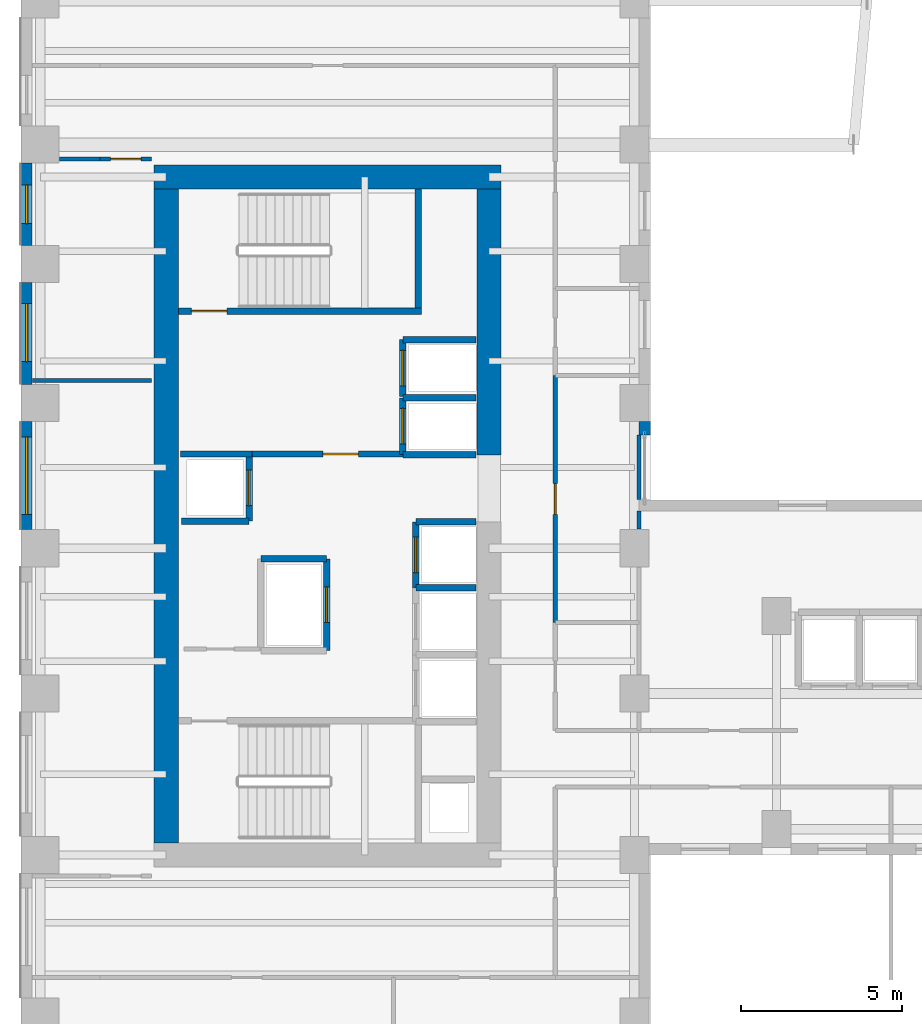
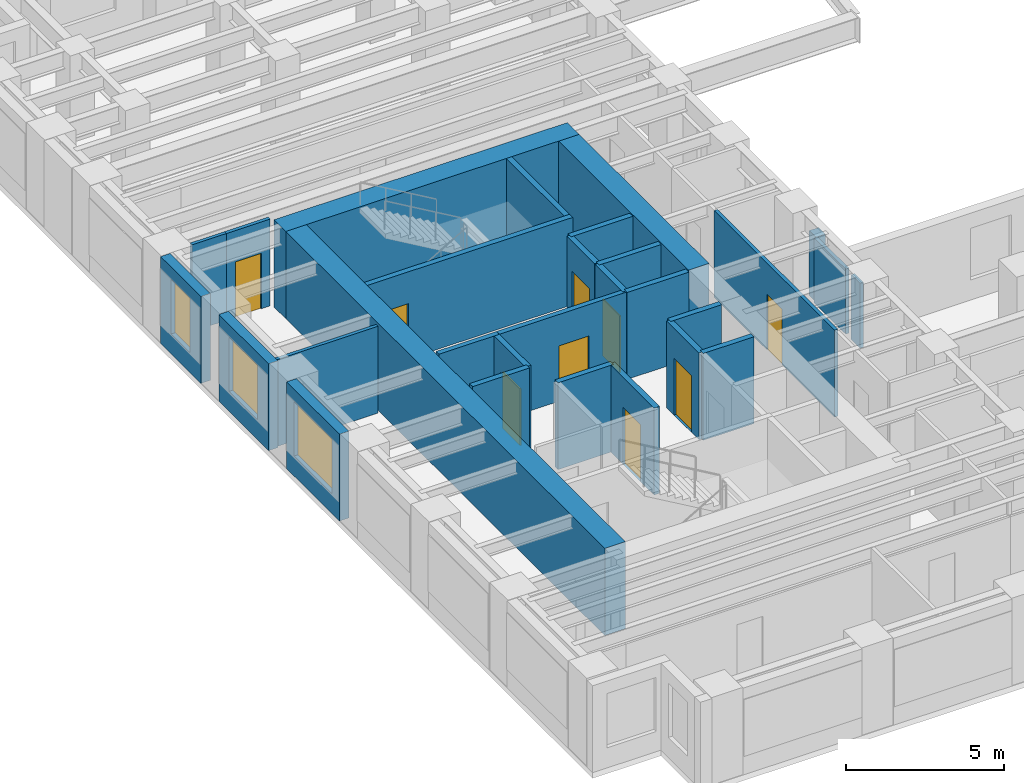
# One storey, part 8 of 14: 29 walls, 9 doors, 3 windows, 12 openings.
"""IFC4 building model written with IfcOpenShell, lengths in metres."""

from ifc_helpers import new_model, si_unit, direction, frame, frame_2d, origin, place, context, subcontext, project, spatial, rectangle, extrude, source, transform, mapped, material, layer, layer_set, type_object, element, fill, save


model = new_model("IFC4")

# Units and contexts
model_context = context("Model", 3, precision=1e-05, world=origin(), true_north=direction((0.0, 1.0)))
body_context = subcontext(model_context, "Body", "Model", "MODEL_VIEW")
ifc_project = project(units=[si_unit("LENGTHUNIT", "METRE"), si_unit("AREAUNIT", "SQUARE_METRE"), si_unit("VOLUMEUNIT", "CUBIC_METRE"), si_unit("PLANEANGLEUNIT", "RADIAN"), si_unit("MASSUNIT", "GRAM", prefix="KILO")], contexts=[model_context])

# Site, building, storey
site_placement = place(None, origin())
site = spatial("IfcSite", under=ifc_project, at=site_placement, CompositionType="ELEMENT")
building_placement = place(site_placement, origin())
building = spatial("IfcBuilding", under=site, at=building_placement, Name="Kharzan Plaza Tower", CompositionType="ELEMENT")
storey_placement = place(building_placement, frame((0.0, 0.0, 124.199951171875)))
storey = spatial("IfcBuildingStorey", under=building, at=storey_placement, Name="L33", CompositionType="ELEMENT", Elevation=124.199951171875)

# Wall, opening, window
ifc_material_1 = material(Name="Concrete C40/50", Category="concrete")
ifc_layer_1 = layer(ifc_material_1, 0.35009765625)
ifc_layer_set_1 = layer_set([ifc_layer_1], Name="Concrete C40/50")
wall_type_1 = type_object("IfcWallType", Name="WL-EXT-MAS-Z2", PredefinedType="SOLIDWALL", material=ifc_layer_set_1)
wall_1_placement = place(storey_placement, frame((0.175048828125, 29.927001953125, 0.0), z_axis=(0.0, 0.0, 1.0), x_axis=(0.0, -1.0, 0.0)))
wall_1 = element("IfcWall", 1, at=wall_1_placement, inside=storey, type_object=wall_type_1, Name="L33 Masonry-Frame Exterior Wall 20", PredefinedType="SOLIDWALL", context=body_context, shape_type="SweptSolid", body=[
    extrude(rectangle(XDim=2.553955078125, YDim=0.35009765625, at=frame_2d((1.27685546875, 0.0))), origin(), (0.0, 0.0, 1.0), 3.364990234375),
])
opening_1_placement = place(wall_1_placement, frame((0.677001953125, 0.0, 0.780029296875)))
opening_1 = element("IfcOpeningElement", 2, at=opening_1_placement, cuts=wall_1, Name="Opening W3", PredefinedType="OPENING", context=body_context, shape_type="SweptSolid", body=[
    extrude(rectangle(XDim=1.199951171875, YDim=2.10009765625, at=frame_2d((0.60009765625, 1.050048828125))), frame((0.0, 0.18505859375, 0.0), z_axis=(0.0, -1.0, 0.0), x_axis=(1.0, 0.0, 0.0)), (0.0, 0.0, 1.0), 0.3701171875),
])
ifc_material_2 = material(Name="Low-E Double Glazing", Category="glass")
window_type_1 = type_object("IfcWindowType", Name="WN-REC-1200x2100", PartitioningType="SINGLE_PANEL", PredefinedType="WINDOW", material=ifc_material_2)
shared_shape_1 = source(origin(), body_context, "Body", "SweptSolid", [
    extrude(rectangle(XDim=1.199951171875, YDim=2.10009765625, at=frame_2d((0.60009765625, 1.050048828125))), frame((0.0, 0.030029296875, 0.0), z_axis=(0.0, -1.0, 0.0), x_axis=(1.0, 0.0, 0.0)), (0.0, 0.0, 1.0), 0.06005859375),
])
window_1_placement = place(opening_1_placement, origin())
window_1 = element("IfcWindow", 3, at=window_1_placement, inside=storey, type_object=window_type_1, Name="L33 Recessed Solar-Control Window 20-1", OverallHeight=2.10009765625, OverallWidth=1.199951171875, PartitioningType="SINGLE_PANEL", PredefinedType="WINDOW", context=body_context, shape_type="MappedRepresentation", body=[
    mapped(shared_shape_1, transform((0.0, 0.0, 0.0), x_axis=(1.0, 0.0, 0.0), y_axis=(0.0, 1.0, 0.0), z_axis=(0.0, 0.0, 1.0))),
])
fill(opening_1, window_1)

wall_2_placement = place(storey_placement, frame((0.175048828125, 26.22705078125, 0.0), z_axis=(0.0, 0.0, 1.0), x_axis=(0.0, -1.0, 0.0)))
wall_2 = element("IfcWall", 4, at=wall_2_placement, inside=storey, type_object=wall_type_1, Name="L33 Masonry-Frame Exterior Wall 21", PredefinedType="SOLIDWALL", context=body_context, shape_type="SweptSolid", body=[
    extrude(rectangle(XDim=3.154052734375, YDim=0.35009765625, at=frame_2d((1.5771484375, 0.0))), origin(), (0.0, 0.0, 1.0), 3.364990234375),
])
opening_2_placement = place(wall_2_placement, frame((0.6484375, 0.0, 0.780029296875)))
opening_2 = element("IfcOpeningElement", 5, at=opening_2_placement, cuts=wall_2, Name="Opening W1", PredefinedType="OPENING", context=body_context, shape_type="SweptSolid", body=[
    extrude(rectangle(XDim=1.800048828125, YDim=2.10009765625, at=frame_2d((0.89990234375, 1.050048828125))), frame((0.0, 0.18505859375, 0.0), z_axis=(0.0, -1.0, 0.0), x_axis=(1.0, 0.0, 0.0)), (0.0, 0.0, 1.0), 0.3701171875),
])
window_type_2 = type_object("IfcWindowType", Name="WN-REC-1800x2100", PartitioningType="SINGLE_PANEL", PredefinedType="WINDOW", material=ifc_material_2)
shared_shape_2 = source(origin(), body_context, "Body", "SweptSolid", [
    extrude(rectangle(XDim=1.800048828125, YDim=2.10009765625, at=frame_2d((0.89990234375, 1.050048828125))), frame((0.0, 0.030029296875, 0.0), z_axis=(0.0, -1.0, 0.0), x_axis=(1.0, 0.0, 0.0)), (0.0, 0.0, 1.0), 0.06005859375),
])
window_2_placement = place(opening_2_placement, origin())
window_2 = element("IfcWindow", 6, at=window_2_placement, inside=storey, type_object=window_type_2, Name="L33 Recessed Solar-Control Window 21-1", OverallHeight=2.10009765625, OverallWidth=1.800048828125, PartitioningType="SINGLE_PANEL", PredefinedType="WINDOW", context=body_context, shape_type="MappedRepresentation", body=[
    mapped(shared_shape_2, transform((0.0, 0.0, 0.0), x_axis=(1.0, 0.0, 0.0), y_axis=(0.0, 1.0, 0.0), z_axis=(0.0, 0.0, 1.0))),
])
fill(opening_2, window_2)

wall_3_placement = place(storey_placement, frame((0.175048828125, 21.927001953125, 0.0), z_axis=(0.0, 0.0, 1.0), x_axis=(0.0, -1.0, 0.0)))
wall_3 = element("IfcWall", 7, at=wall_3_placement, inside=storey, type_object=wall_type_1, Name="L33 Masonry-Frame Exterior Wall 22", PredefinedType="SOLIDWALL", context=body_context, shape_type="SweptSolid", body=[
    extrude(rectangle(XDim=3.35400390625, YDim=0.35009765625, at=frame_2d((1.677001953125, 0.0))), origin(), (0.0, 0.0, 1.0), 3.364990234375),
])
opening_3_placement = place(wall_3_placement, frame((0.47705078125, 0.0, 0.780029296875)))
opening_3 = element("IfcOpeningElement", 8, at=opening_3_placement, cuts=wall_3, Name="Opening W2", PredefinedType="OPENING", context=body_context, shape_type="SweptSolid", body=[
    extrude(rectangle(XDim=2.39990234375, YDim=2.10009765625, at=frame_2d((1.199951171875, 1.050048828125))), frame((0.0, 0.18505859375, 0.0), z_axis=(0.0, -1.0, 0.0), x_axis=(1.0, 0.0, 0.0)), (0.0, 0.0, 1.0), 0.3701171875),
])
window_type_3 = type_object("IfcWindowType", Name="WN-REC-2400x2100", PartitioningType="SINGLE_PANEL", PredefinedType="WINDOW", material=ifc_material_2)
shared_shape_3 = source(origin(), body_context, "Body", "SweptSolid", [
    extrude(rectangle(XDim=2.39990234375, YDim=2.10009765625, at=frame_2d((1.199951171875, 1.050048828125))), frame((0.0, 0.030029296875, 0.0), z_axis=(0.0, -1.0, 0.0), x_axis=(1.0, 0.0, 0.0)), (0.0, 0.0, 1.0), 0.06005859375),
])
window_3_placement = place(opening_3_placement, origin())
window_3 = element("IfcWindow", 9, at=window_3_placement, inside=storey, type_object=window_type_3, Name="L33 Wide Recessed Solar-Control Window 22-1", OverallHeight=2.10009765625, OverallWidth=2.39990234375, PartitioningType="SINGLE_PANEL", PredefinedType="WINDOW", context=body_context, shape_type="MappedRepresentation", body=[
    mapped(shared_shape_3, transform((0.0, 0.0, 0.0), x_axis=(1.0, 0.0, 0.0), y_axis=(0.0, 1.0, 0.0), z_axis=(0.0, 0.0, 1.0))),
])
fill(opening_3, window_3)

# Wall, opening, door
ifc_layer_2 = layer(ifc_material_1, 0.179931640625)
ifc_layer_set_2 = layer_set([ifc_layer_2], Name="Concrete C40/50")
wall_type_2 = type_object("IfcWallType", Name="WL-INT-FIRE-180", PredefinedType="PARTITIONING", material=ifc_layer_set_2)
wall_4_placement = place(storey_placement, frame((7.14990234375, 20.919921875, 0.0), z_axis=(0.0, 0.0, 1.0), x_axis=(1.0, 0.0, 0.0)))
wall_4 = element("IfcWall", 10, at=wall_4_placement, inside=storey, type_object=wall_type_2, Name="L33 Interior Partition CA-FF-S", PredefinedType="PARTITIONING", context=body_context, shape_type="SweptSolid", body=[
    extrude(rectangle(XDim=4.68017578125, YDim=0.179931640625, at=frame_2d((2.340087890625, 0.0))), origin(), (0.0, 0.0, 1.0), 3.364990234375),
])
opening_4_placement = place(wall_4_placement, frame((2.199951171875, 0.0, 0.0)))
opening_4 = element("IfcOpeningElement", 11, at=opening_4_placement, cuts=wall_4, Name="Opening FD1", PredefinedType="OPENING", context=body_context, shape_type="SweptSolid", body=[
    extrude(rectangle(XDim=1.10009765625, YDim=2.14990234375, at=frame_2d((0.550048828125, 1.074951171875))), frame((0.0, 0.099853515625, 0.0), z_axis=(0.0, -1.0, 0.0), x_axis=(1.0, 0.0, 0.0)), (0.0, 0.0, 1.0), 0.199951171875),
])
ifc_material_3 = material(Name="Fire-Rated Acoustic Vision-Panel Steel", Category="steel")
door_type_1 = type_object("IfcDoorType", Name="DR-FIRE-LOBBY", OperationType="NOTDEFINED", PredefinedType="DOOR", material=ifc_material_3)
shared_shape_4 = source(origin(), body_context, "Body", "SweptSolid", [
    extrude(rectangle(XDim=1.10009765625, YDim=2.14990234375, at=frame_2d((0.550048828125, 1.074951171875))), frame((0.0, 0.02490234375, 0.0), z_axis=(0.0, -1.0, 0.0), x_axis=(1.0, 0.0, 0.0)), (0.0, 0.0, 1.0), 0.050048828125),
])
door_1_placement = place(opening_4_placement, origin())
door_1 = element("IfcDoor", 12, at=door_1_placement, inside=storey, type_object=door_type_1, Name="L33 Firefighting Lobby Door", OperationType="SINGLE_SWING_RIGHT", OverallHeight=2.14990234375, OverallWidth=1.10009765625, PredefinedType="DOOR", context=body_context, shape_type="MappedRepresentation", body=[
    mapped(shared_shape_4, transform((0.0, 0.0, 0.0), x_axis=(1.0, 0.0, 0.0), y_axis=(0.0, 1.0, 0.0), z_axis=(0.0, 0.0, 1.0))),
])
fill(opening_4, door_1)

ifc_material_4 = material(Name="Fire-Rated Gypsum Board Partition", Category="gypsum")
ifc_layer_3 = layer(ifc_material_4, 0.125)
ifc_layer_set_3 = layer_set([ifc_layer_3], Name="Fire-Rated Gypsum Board Partition")
wall_type_3 = type_object("IfcWallType", Name="WL-INT-PART-125", PredefinedType="PARTITIONING", material=ifc_layer_set_3)
wall_5_placement = place(storey_placement, frame((16.550048828125, 15.699951171875, 0.0), z_axis=(0.0, 0.0, 1.0), x_axis=(0.0, 1.0, 0.0)))
wall_5 = element("IfcWall", 13, at=wall_5_placement, inside=storey, type_object=wall_type_3, Name="L33 Interior Partition SH-AEWN2", PredefinedType="PARTITIONING", context=body_context, shape_type="SweptSolid", body=[
    extrude(rectangle(XDim=7.650146484375, YDim=0.125, at=frame_2d((3.8251953125, 0.0))), origin(), (0.0, 0.0, 1.0), 3.364990234375),
])
opening_5_placement = place(wall_5_placement, frame((3.35009765625, 0.0, 0.0)))
opening_5 = element("IfcOpeningElement", 14, at=opening_5_placement, cuts=wall_5, Name="Opening OD1", PredefinedType="OPENING", context=body_context, shape_type="SweptSolid", body=[
    extrude(rectangle(XDim=0.949951171875, YDim=2.14990234375, at=frame_2d((0.47509765625, 1.074951171875))), frame((0.0, 0.072509765625, 0.0), z_axis=(0.0, -1.0, 0.0), x_axis=(1.0, 0.0, 0.0)), (0.0, 0.0, 1.0), 0.14501953125),
])
ifc_material_5 = material(Name="Acoustic Solid-Core Stained Oak", Category="timber")
door_type_2 = type_object("IfcDoorType", Name="DR-OFF-SINGLE", OperationType="NOTDEFINED", PredefinedType="DOOR", material=ifc_material_5)
shared_shape_5 = source(origin(), body_context, "Body", "SweptSolid", [
    extrude(rectangle(XDim=0.949951171875, YDim=2.14990234375, at=frame_2d((0.47509765625, 1.074951171875))), frame((0.0, 0.02490234375, 0.0), z_axis=(0.0, -1.0, 0.0), x_axis=(1.0, 0.0, 0.0)), (0.0, 0.0, 1.0), 0.050048828125),
])
door_2_placement = place(opening_5_placement, origin())
door_2 = element("IfcDoor", 15, at=door_2_placement, inside=storey, type_object=door_type_2, Name="L33 Slot Studio Door", OperationType="SINGLE_SWING_LEFT", OverallHeight=2.14990234375, OverallWidth=0.949951171875, PredefinedType="DOOR", context=body_context, shape_type="MappedRepresentation", body=[
    mapped(shared_shape_5, transform((0.0, 0.0, 0.0), x_axis=(1.0, 0.0, 0.0), y_axis=(0.0, 1.0, 0.0), z_axis=(0.0, 0.0, 1.0))),
])
fill(opening_5, door_2)

wall_6_placement = place(storey_placement, frame((2.449951171875, 30.050048828125, 0.0), z_axis=(0.0, 0.0, 1.0), x_axis=(1.0, 0.0, 0.0)))
wall_6 = element("IfcWall", 16, at=wall_6_placement, inside=storey, type_object=wall_type_3, Name="L33 Interior Partition SH-RWND", PredefinedType="PARTITIONING", context=body_context, shape_type="SweptSolid", body=[
    extrude(rectangle(XDim=1.60009765625, YDim=0.125, at=frame_2d((0.800048828125, 0.0))), origin(), (0.0, 0.0, 1.0), 3.364990234375),
])
opening_6_placement = place(wall_6_placement, frame((0.324951171875, 0.0, 0.0)))
opening_6 = element("IfcOpeningElement", 17, at=opening_6_placement, cuts=wall_6, Name="Opening OD1", PredefinedType="OPENING", context=body_context, shape_type="SweptSolid", body=[
    extrude(rectangle(XDim=0.949951171875, YDim=2.14990234375, at=frame_2d((0.47509765625, 1.074951171875))), frame((0.0, 0.072509765625, 0.0), z_axis=(0.0, -1.0, 0.0), x_axis=(1.0, 0.0, 0.0)), (0.0, 0.0, 1.0), 0.14501953125),
])
door_3_placement = place(opening_6_placement, origin())
door_3 = element("IfcDoor", 18, at=door_3_placement, inside=storey, type_object=door_type_2, Name="L33 West Office 2 Door", OperationType="SINGLE_SWING_LEFT", OverallHeight=2.14990234375, OverallWidth=0.949951171875, PredefinedType="DOOR", context=body_context, shape_type="MappedRepresentation", body=[
    mapped(shared_shape_5, transform((0.0, 0.0, 0.0), x_axis=(1.0, 0.0, 0.0), y_axis=(0.0, 1.0, 0.0), z_axis=(0.0, 0.0, 1.0))),
])
fill(opening_6, door_3)

ifc_layer_4 = layer(ifc_material_1, 0.199951171875)
ifc_layer_set_4 = layer_set([ifc_layer_4], Name="Concrete C40/50")
wall_type_4 = type_object("IfcWallType", Name="WL-INT-SHAFT-200", PredefinedType="PARTITIONING", material=ifc_layer_set_4)
wall_7_placement = place(storey_placement, frame((11.830078125, 20.89990234375, 0.0), z_axis=(0.0, 0.0, 1.0), x_axis=(0.0, 1.0, 0.0)))
wall_7 = element("IfcWall", 19, at=wall_7_placement, inside=storey, type_object=wall_type_4, Name="L33 Interior Partition SHF-FFL-1-W", PredefinedType="PARTITIONING", context=body_context, shape_type="SweptSolid", body=[
    extrude(rectangle(XDim=1.760009765625, YDim=0.199951171875, at=frame_2d((0.8798828125, 0.0))), origin(), (0.0, 0.0, 1.0), 3.364990234375),
])
opening_7_placement = place(wall_7_placement, frame((0.330078125, 0.0, 0.0)))
opening_7 = element("IfcOpeningElement", 20, at=opening_7_placement, cuts=wall_7, Name="Opening LD", PredefinedType="OPENING", context=body_context, shape_type="SweptSolid", body=[
    extrude(rectangle(XDim=1.10009765625, YDim=2.199951171875, at=frame_2d((0.550048828125, 1.10009765625))), frame((0.0, 0.10986328125, 0.0), z_axis=(0.0, -1.0, 0.0), x_axis=(1.0, 0.0, 0.0)), (0.0, 0.0, 1.0), 0.219970703125),
])
ifc_material_6 = material(Name="Brushed Stainless Steel", Category="steel")
door_type_3 = type_object("IfcDoorType", Name="DR-LIFT-SLIDE", OperationType="SLIDING_TO_LEFT", PredefinedType="DOOR", material=ifc_material_6)
shared_shape_6 = source(origin(), body_context, "Body", "SweptSolid", [
    extrude(rectangle(XDim=1.10009765625, YDim=2.199951171875, at=frame_2d((0.550048828125, 1.10009765625))), frame((0.0, 0.02490234375, 0.0), z_axis=(0.0, -1.0, 0.0), x_axis=(1.0, 0.0, 0.0)), (0.0, 0.0, 1.0), 0.050048828125),
])
door_4_placement = place(opening_7_placement, origin())
door_4 = element("IfcDoor", 21, at=door_4_placement, inside=storey, type_object=door_type_3, Name="L33 Firefighting Lift FFL-1 Sliding Landing Door", OperationType="SLIDING_TO_LEFT", OverallHeight=2.199951171875, OverallWidth=1.10009765625, PredefinedType="DOOR", context=body_context, shape_type="MappedRepresentation", body=[
    mapped(shared_shape_6, transform((0.0, 0.0, 0.0), x_axis=(1.0, 0.0, 0.0), y_axis=(0.0, 1.0, 0.0), z_axis=(0.0, 0.0, 1.0))),
])
fill(opening_7, door_4)

wall_8_placement = place(storey_placement, frame((11.830078125, 22.699951171875, 0.0), z_axis=(0.0, 0.0, 1.0), x_axis=(0.0, 1.0, 0.0)))
wall_8 = element("IfcWall", 22, at=wall_8_placement, inside=storey, type_object=wall_type_4, Name="L33 Interior Partition SHF-FFL-2-W", PredefinedType="PARTITIONING", context=body_context, shape_type="SweptSolid", body=[
    extrude(rectangle(XDim=1.760009765625, YDim=0.199951171875, at=frame_2d((0.8798828125, 0.0))), origin(), (0.0, 0.0, 1.0), 3.364990234375),
])
opening_8_placement = place(wall_8_placement, frame((0.330078125, 0.0, 0.0)))
opening_8 = element("IfcOpeningElement", 23, at=opening_8_placement, cuts=wall_8, Name="Opening LD", PredefinedType="OPENING", context=body_context, shape_type="SweptSolid", body=[
    extrude(rectangle(XDim=1.10009765625, YDim=2.199951171875, at=frame_2d((0.550048828125, 1.10009765625))), frame((0.0, 0.10986328125, 0.0), z_axis=(0.0, -1.0, 0.0), x_axis=(1.0, 0.0, 0.0)), (0.0, 0.0, 1.0), 0.219970703125),
])
door_5_placement = place(opening_8_placement, origin())
door_5 = element("IfcDoor", 24, at=door_5_placement, inside=storey, type_object=door_type_3, Name="L33 Firefighting Lift FFL-2 Sliding Landing Door", OperationType="SLIDING_TO_LEFT", OverallHeight=2.199951171875, OverallWidth=1.10009765625, PredefinedType="DOOR", context=body_context, shape_type="MappedRepresentation", body=[
    mapped(shared_shape_6, transform((0.0, 0.0, 0.0), x_axis=(1.0, 0.0, 0.0), y_axis=(0.0, 1.0, 0.0), z_axis=(0.0, 0.0, 1.0))),
])
fill(opening_8, door_5)

wall_9_placement = place(storey_placement, frame((12.22998046875, 16.77001953125, 0.0), z_axis=(0.0, 0.0, 1.0), x_axis=(0.0, 1.0, 0.0)))
wall_9 = element("IfcWall", 25, at=wall_9_placement, inside=storey, type_object=wall_type_4, Name="L33 Interior Partition SHF-PL-H3-W", PredefinedType="PARTITIONING", context=body_context, shape_type="SweptSolid", body=[
    extrude(rectangle(XDim=2.050048828125, YDim=0.199951171875, at=frame_2d((1.02490234375, 0.0))), origin(), (0.0, 0.0, 1.0), 3.364990234375),
])
opening_9_placement = place(wall_9_placement, frame((0.47509765625, 0.0, 0.0)))
opening_9 = element("IfcOpeningElement", 26, at=opening_9_placement, cuts=wall_9, Name="Opening LD", PredefinedType="OPENING", context=body_context, shape_type="SweptSolid", body=[
    extrude(rectangle(XDim=1.10009765625, YDim=2.199951171875, at=frame_2d((0.550048828125, 1.10009765625))), frame((0.0, 0.10986328125, 0.0), z_axis=(0.0, -1.0, 0.0), x_axis=(1.0, 0.0, 0.0)), (0.0, 0.0, 1.0), 0.219970703125),
])
door_6_placement = place(opening_9_placement, origin())
door_6 = element("IfcDoor", 27, at=door_6_placement, inside=storey, type_object=door_type_3, Name="L33 High-Rise Passenger Lift PL-H3 Sliding Landing Door", OperationType="SLIDING_TO_LEFT", OverallHeight=2.199951171875, OverallWidth=1.10009765625, PredefinedType="DOOR", context=body_context, shape_type="MappedRepresentation", body=[
    mapped(shared_shape_6, transform((0.0, 0.0, 0.0), x_axis=(1.0, 0.0, 0.0), y_axis=(0.0, 1.0, 0.0), z_axis=(0.0, 0.0, 1.0))),
])
fill(opening_9, door_6)

wall_10_placement = place(storey_placement, frame((7.070068359375, 18.840087890625, 0.0), z_axis=(0.0, 0.0, 1.0), x_axis=(0.0, 1.0, 0.0)))
wall_10 = element("IfcWall", 28, at=wall_10_placement, inside=storey, type_object=wall_type_4, Name="L33 Interior Partition SHF-PL-H4-E", PredefinedType="PARTITIONING", context=body_context, shape_type="SweptSolid", body=[
    extrude(rectangle(XDim=2.059814453125, YDim=0.199951171875, at=frame_2d((1.02978515625, 0.0))), origin(), (0.0, 0.0, 1.0), 3.364990234375),
])
opening_10_placement = place(wall_10_placement, frame((0.47998046875, 0.0, 0.0)))
opening_10 = element("IfcOpeningElement", 29, at=opening_10_placement, cuts=wall_10, Name="Opening LD", PredefinedType="OPENING", context=body_context, shape_type="SweptSolid", body=[
    extrude(rectangle(XDim=1.10009765625, YDim=2.199951171875, at=frame_2d((0.550048828125, 1.10009765625))), frame((0.0, 0.10986328125, 0.0), z_axis=(0.0, -1.0, 0.0), x_axis=(1.0, 0.0, 0.0)), (0.0, 0.0, 1.0), 0.219970703125),
])
door_7_placement = place(opening_10_placement, origin())
door_7 = element("IfcDoor", 30, at=door_7_placement, inside=storey, type_object=door_type_3, Name="L33 High-Rise Passenger Lift PL-H4 Sliding Landing Door", OperationType="SLIDING_TO_LEFT", OverallHeight=2.199951171875, OverallWidth=1.10009765625, PredefinedType="DOOR", context=body_context, shape_type="MappedRepresentation", body=[
    mapped(shared_shape_6, transform((0.0, 0.0, 0.0), x_axis=(1.0, 0.0, 0.0), y_axis=(0.0, 1.0, 0.0), z_axis=(0.0, 0.0, 1.0))),
])
fill(opening_10, door_7)

wall_11_placement = place(storey_placement, frame((9.469970703125, 14.830078125, 0.0), z_axis=(0.0, 0.0, 1.0), x_axis=(0.0, 1.0, 0.0)))
wall_11 = element("IfcWall", 31, at=wall_11_placement, inside=storey, type_object=wall_type_4, Name="L33 Interior Partition SHF-SVL-1-E", PredefinedType="PARTITIONING", context=body_context, shape_type="SweptSolid", body=[
    extrude(rectangle(XDim=2.83984375, YDim=0.199951171875, at=frame_2d((1.419921875, 0.0))), origin(), (0.0, 0.0, 1.0), 3.364990234375),
])
opening_11_placement = place(wall_11_placement, frame((0.8701171875, 0.0, 0.0)))
opening_11 = element("IfcOpeningElement", 32, at=opening_11_placement, cuts=wall_11, Name="Opening LD", PredefinedType="OPENING", context=body_context, shape_type="SweptSolid", body=[
    extrude(rectangle(XDim=1.10009765625, YDim=2.199951171875, at=frame_2d((0.550048828125, 1.10009765625))), frame((0.0, 0.10986328125, 0.0), z_axis=(0.0, -1.0, 0.0), x_axis=(1.0, 0.0, 0.0)), (0.0, 0.0, 1.0), 0.219970703125),
])
door_8_placement = place(opening_11_placement, origin())
door_8 = element("IfcDoor", 33, at=door_8_placement, inside=storey, type_object=door_type_3, Name="L33 Service Lift SVL-1 Sliding Landing Door", OperationType="SLIDING_TO_LEFT", OverallHeight=2.199951171875, OverallWidth=1.10009765625, PredefinedType="DOOR", context=body_context, shape_type="MappedRepresentation", body=[
    mapped(shared_shape_6, transform((0.0, 0.0, 0.0), x_axis=(1.0, 0.0, 0.0), y_axis=(0.0, 1.0, 0.0), z_axis=(0.0, 0.0, 1.0))),
])
fill(opening_11, door_8)

ifc_material_7 = material(Name="Concrete C50/60", Category="concrete")
ifc_layer_5 = layer(ifc_material_7, 0.199951171875)
ifc_layer_set_5 = layer_set([ifc_layer_5], Name="Concrete C50/60")
wall_type_5 = type_object("IfcWallType", Name="WL-SHAFT-RC200", PredefinedType="SHEAR", material=ifc_layer_set_5)
wall_12_placement = place(storey_placement, frame((4.876953125, 25.344970703125, 0.0), z_axis=(0.0, 0.0, 1.0), x_axis=(1.0, 0.0, 0.0)))
wall_12 = element("IfcWall", 34, at=wall_12_placement, inside=storey, type_object=wall_type_5, Name="L33 Stair ST-2 South RC Shaft Wall", PredefinedType="SHEAR", context=body_context, shape_type="SweptSolid", body=[
    extrude(rectangle(XDim=7.528076171875, YDim=0.199951171875, at=frame_2d((3.76416015625, 0.0))), origin(), (0.0, 0.0, 1.0), 3.380126953125),
])
opening_12_placement = place(wall_12_placement, frame((0.39990234375, 0.0, 0.0)))
opening_12 = element("IfcOpeningElement", 35, at=opening_12_placement, cuts=wall_12, Name="Opening SD1", PredefinedType="OPENING", context=body_context, shape_type="SweptSolid", body=[
    extrude(rectangle(XDim=1.10009765625, YDim=2.14990234375, at=frame_2d((0.550048828125, 1.074951171875))), frame((0.0, 0.10986328125, 0.0), z_axis=(0.0, -1.0, 0.0), x_axis=(1.0, 0.0, 0.0)), (0.0, 0.0, 1.0), 0.219970703125),
])
ifc_material_8 = material(Name="Fire-Rated Hollow Galvanized Steel", Category="steel")
door_type_4 = type_object("IfcDoorType", Name="DR-STAIR-FD120", OperationType="NOTDEFINED", PredefinedType="DOOR", material=ifc_material_8)
shared_shape_7 = source(origin(), body_context, "Body", "SweptSolid", [
    extrude(rectangle(XDim=1.10009765625, YDim=2.14990234375, at=frame_2d((0.550048828125, 1.074951171875))), frame((0.0, 0.02490234375, 0.0), z_axis=(0.0, -1.0, 0.0), x_axis=(1.0, 0.0, 0.0)), (0.0, 0.0, 1.0), 0.050048828125),
])
door_9_placement = place(opening_12_placement, origin())
door_9 = element("IfcDoor", 36, at=door_9_placement, inside=storey, type_object=door_type_4, Name="L33 Stair ST-2 Fire Exit Door", OperationType="SINGLE_SWING_LEFT", OverallHeight=2.14990234375, OverallWidth=1.10009765625, PredefinedType="DOOR", context=body_context, shape_type="MappedRepresentation", body=[
    mapped(shared_shape_7, transform((0.0, 0.0, 0.0), x_axis=(1.0, 0.0, 0.0), y_axis=(0.0, 1.0, 0.0), z_axis=(0.0, 0.0, 1.0))),
])
fill(opening_12, door_9)

# Walls
shared_shape_8 = source(origin(), body_context, "Body", "SweptSolid", [
    extrude(rectangle(XDim=2.090087890625, YDim=0.199951171875, at=frame_2d((1.044921875, 0.0))), origin(), (0.0, 0.0, 1.0), 3.364990234375),
])
wall_13_placement = place(storey_placement, frame((4.97998046875, 18.840087890625, 0.0), z_axis=(0.0, 0.0, 1.0), x_axis=(1.0, 0.0, 0.0)))
element("IfcWall", 37, at=wall_13_placement, inside=storey, type_object=wall_type_4, Name="L33 Interior Partition SHF-PL-H4-S", PredefinedType="PARTITIONING", context=body_context, shape_type="MappedRepresentation", body=[
    mapped(shared_shape_8, transform((0.0, 0.0, 0.0), x_axis=(1.0, 0.0, 0.0), y_axis=(0.0, 1.0, 0.0), z_axis=(0.0, 0.0, 1.0))),
])
shared_shape_9 = source(origin(), body_context, "Body", "SweptSolid", [
    extrude(rectangle(XDim=2.0400390625, YDim=0.199951171875, at=frame_2d((1.02001953125, 0.0))), origin(), (0.0, 0.0, 1.0), 3.364990234375),
])
wall_14_placement = place(storey_placement, frame((7.429931640625, 17.669921875, 0.0), z_axis=(0.0, 0.0, 1.0), x_axis=(1.0, 0.0, 0.0)))
element("IfcWall", 38, at=wall_14_placement, inside=storey, type_object=wall_type_4, Name="L33 Interior Partition SHF-SVL-1-N", PredefinedType="PARTITIONING", context=body_context, shape_type="MappedRepresentation", body=[
    mapped(shared_shape_9, transform((0.0, 0.0, 0.0), x_axis=(1.0, 0.0, 0.0), y_axis=(0.0, 1.0, 0.0), z_axis=(0.0, 0.0, 1.0))),
])
ifc_material_9 = material(Name="Concrete C60/75", Category="concrete")
ifc_layer_6 = layer(ifc_material_9, 0.75)
ifc_layer_set_6 = layer_set([ifc_layer_6], Name="Concrete C60/75")
wall_type_6 = type_object("IfcWallType", Name="WL-CORE-750", PredefinedType="SHEAR", material=ifc_layer_set_6)
shared_shape_10 = source(origin(), body_context, "Body", "SweptSolid", [
    extrude(rectangle(XDim=8.2451171875, YDim=0.75, at=frame_2d((4.12255859375, 0.0))), origin(), (0.0, 0.0, 1.0), 3.380126953125),
])
wall_15_placement = place(storey_placement, frame((14.5, 20.8798828125, 0.0), z_axis=(0.0, 0.0, 1.0), x_axis=(0.0, 1.0, 0.0)))
element("IfcWall", 39, at=wall_15_placement, inside=storey, type_object=wall_type_6, Name="L33 CORE-A east shear pier 2", PredefinedType="SHEAR", context=body_context, shape_type="MappedRepresentation", body=[
    mapped(shared_shape_10, transform((0.0, 0.0, 0.0), x_axis=(1.0, 0.0, 0.0), y_axis=(0.0, 1.0, 0.0), z_axis=(0.0, 0.0, 1.0))),
])
shared_shape_11 = source(origin(), body_context, "Body", "SweptSolid", [
    extrude(rectangle(XDim=10.75, YDim=0.75, at=frame_2d((5.375, 0.0))), origin(), (0.0, 0.0, 1.0), 3.380126953125),
])
wall_16_placement = place(storey_placement, frame((4.125, 29.5, 0.0), z_axis=(0.0, 0.0, 1.0), x_axis=(1.0, 0.0, 0.0)))
element("IfcWall", 40, at=wall_16_placement, inside=storey, type_object=wall_type_6, Name="L33 CORE-A north RC shear wall", PredefinedType="SHEAR", context=body_context, shape_type="MappedRepresentation", body=[
    mapped(shared_shape_11, transform((0.0, 0.0, 0.0), x_axis=(1.0, 0.0, 0.0), y_axis=(0.0, 1.0, 0.0), z_axis=(0.0, 0.0, 1.0))),
])
shared_shape_12 = source(origin(), body_context, "Body", "SweptSolid", [
    extrude(rectangle(XDim=20.25, YDim=0.75, at=frame_2d((10.125, 0.0))), origin(), (0.0, 0.0, 1.0), 3.380126953125),
])
wall_17_placement = place(storey_placement, frame((4.5, 8.875, 0.0), z_axis=(0.0, 0.0, 1.0), x_axis=(0.0, 1.0, 0.0)))
element("IfcWall", 41, at=wall_17_placement, inside=storey, type_object=wall_type_6, Name="L33 CORE-A west RC shear wall", PredefinedType="SHEAR", context=body_context, shape_type="MappedRepresentation", body=[
    mapped(shared_shape_12, transform((0.0, 0.0, 0.0), x_axis=(1.0, 0.0, 0.0), y_axis=(0.0, 1.0, 0.0), z_axis=(0.0, 0.0, 1.0))),
])
shared_shape_13 = source(origin(), body_context, "Body", "SweptSolid", [
    extrude(rectangle(XDim=2.199951171875, YDim=0.179931640625, at=frame_2d((1.10009765625, 0.0))), origin(), (0.0, 0.0, 1.0), 3.364990234375),
])
wall_18_placement = place(storey_placement, frame((4.949951171875, 20.919921875, 0.0), z_axis=(0.0, 0.0, 1.0), x_axis=(1.0, 0.0, 0.0)))
element("IfcWall", 42, at=wall_18_placement, inside=storey, type_object=wall_type_2, Name="L33 Interior Partition CA-FF-SW", PredefinedType="PARTITIONING", context=body_context, shape_type="MappedRepresentation", body=[
    mapped(shared_shape_13, transform((0.0, 0.0, 0.0), x_axis=(1.0, 0.0, 0.0), y_axis=(0.0, 1.0, 0.0), z_axis=(0.0, 0.0, 1.0))),
])
shared_shape_14 = source(origin(), body_context, "Body", "SweptSolid", [
    extrude(rectangle(XDim=1.260009765625, YDim=0.125, at=frame_2d((0.6298828125, 0.0))), origin(), (0.0, 0.0, 1.0), 3.364990234375),
])
wall_19_placement = place(storey_placement, frame((1.18994140625, 30.050048828125, 0.0), z_axis=(0.0, 0.0, 1.0), x_axis=(1.0, 0.0, 0.0)))
element("IfcWall", 43, at=wall_19_placement, inside=storey, type_object=wall_type_3, Name="L33 Interior Partition SH-RWN0", PredefinedType="PARTITIONING", context=body_context, shape_type="MappedRepresentation", body=[
    mapped(shared_shape_14, transform((0.0, 0.0, 0.0), x_axis=(1.0, 0.0, 0.0), y_axis=(0.0, 1.0, 0.0), z_axis=(0.0, 0.0, 1.0))),
])
shared_shape_15 = source(origin(), body_context, "Body", "SweptSolid", [
    extrude(rectangle(XDim=3.697998046875, YDim=0.125, at=frame_2d((1.84912109375, 0.0))), origin(), (0.0, 0.0, 1.0), 3.364990234375),
])
wall_20_placement = place(storey_placement, frame((0.35205078125, 23.199951171875, 0.0), z_axis=(0.0, 0.0, 1.0), x_axis=(1.0, 0.0, 0.0)))
element("IfcWall", 44, at=wall_20_placement, inside=storey, type_object=wall_type_3, Name="L33 Interior Partition SH-WMID", PredefinedType="PARTITIONING", context=body_context, shape_type="MappedRepresentation", body=[
    mapped(shared_shape_15, transform((0.0, 0.0, 0.0), x_axis=(1.0, 0.0, 0.0), y_axis=(0.0, 1.0, 0.0), z_axis=(0.0, 0.0, 1.0))),
])
shared_shape_16 = source(origin(), body_context, "Body", "SweptSolid", [
    extrude(rectangle(XDim=2.264892578125, YDim=0.199951171875, at=frame_2d((1.13232421875, 0.0))), origin(), (0.0, 0.0, 1.0), 3.364990234375),
])
for number, where, z_axis, x_axis, name in (
    (45, (11.830078125, 22.659912109375, 0.0), (0.0, 0.0, 1.0), (1.0, 0.0, 0.0), "L33 Interior Partition SHF-FFL-1-N"),
    (46, (11.830078125, 20.89990234375, 0.0), (0.0, 0.0, 1.0), (1.0, 0.0, 0.0), "L33 Interior Partition SHF-FFL-1-S"),
    (47, (11.830078125, 24.4599609375, 0.0), (0.0, 0.0, 1.0), (1.0, 0.0, 0.0), "L33 Interior Partition SHF-FFL-2-N"),
):
    element("IfcWall", number, at=place(storey_placement, frame(where, z_axis=z_axis, x_axis=x_axis)), inside=storey, type_object=wall_type_4, Name=name, PredefinedType="PARTITIONING", context=body_context, shape_type="MappedRepresentation", body=[
        mapped(shared_shape_16, transform((0.0, 0.0, 0.0), x_axis=(1.0, 0.0, 0.0), y_axis=(0.0, 1.0, 0.0), z_axis=(0.0, 0.0, 1.0))),
    ])
shared_shape_17 = source(origin(), body_context, "Body", "SweptSolid", [
    extrude(rectangle(XDim=1.864990234375, YDim=0.199951171875, at=frame_2d((0.9326171875, 0.0))), origin(), (0.0, 0.0, 1.0), 3.364990234375),
])
for number, where, z_axis, x_axis, name in (
    (48, (12.22998046875, 16.77001953125, 0.0), (0.0, 0.0, 1.0), (1.0, 0.0, 0.0), "L33 Interior Partition SHF-PL-H2-N"),
    (49, (12.22998046875, 18.820068359375, 0.0), (0.0, 0.0, 1.0), (1.0, 0.0, 0.0), "L33 Interior Partition SHF-PL-H3-N"),
):
    element("IfcWall", number, at=place(storey_placement, frame(where, z_axis=z_axis, x_axis=x_axis)), inside=storey, type_object=wall_type_4, Name=name, PredefinedType="PARTITIONING", context=body_context, shape_type="MappedRepresentation", body=[
        mapped(shared_shape_17, transform((0.0, 0.0, 0.0), x_axis=(1.0, 0.0, 0.0), y_axis=(0.0, 1.0, 0.0), z_axis=(0.0, 0.0, 1.0))),
    ])
shared_shape_18 = source(origin(), body_context, "Body", "SweptSolid", [
    extrude(rectangle(XDim=3.677978515625, YDim=0.199951171875, at=frame_2d((1.8388671875, 0.0))), origin(), (0.0, 0.0, 1.0), 3.380126953125),
])
wall_21_placement = place(storey_placement, frame((12.304931640625, 25.445068359375, 0.0), z_axis=(0.0, 0.0, 1.0), x_axis=(0.0, 1.0, 0.0)))
element("IfcWall", 50, at=wall_21_placement, inside=storey, type_object=wall_type_5, Name="L33 Stair ST-2 East RC Shaft Wall", PredefinedType="SHEAR", context=body_context, shape_type="MappedRepresentation", body=[
    mapped(shared_shape_18, transform((0.0, 0.0, 0.0), x_axis=(1.0, 0.0, 0.0), y_axis=(0.0, 1.0, 0.0), z_axis=(0.0, 0.0, 1.0))),
])
shared_shape_19 = source(origin(), body_context, "Body", "SweptSolid", [
    extrude(rectangle(XDim=0.557861328125, YDim=0.125, at=frame_2d((0.27880859375, 0.0))), origin(), (0.0, 0.0, 1.0), 2.51904296875),
])
wall_22_placement = place(storey_placement, frame((19.14990234375, 18.590087890625, 0.0), z_axis=(0.0, 0.0, 1.0), x_axis=(0.0, 1.0, 0.0)))
element("IfcWall", 51, at=wall_22_placement, inside=storey, type_object=wall_type_3, Name="L33 Interior Partition SH-AEN-DIV-S3", PredefinedType="PARTITIONING", context=body_context, shape_type="MappedRepresentation", body=[
    mapped(shared_shape_19, transform((0.0, 0.0, 0.0), x_axis=(1.0, 0.0, 0.0), y_axis=(0.0, 1.0, 0.0), z_axis=(0.0, 0.0, 1.0))),
])
shared_shape_20 = source(origin(), body_context, "Body", "SweptSolid", [
    extrude(rectangle(XDim=0.427001953125, YDim=0.35009765625, at=frame_2d((0.21337890625, 0.0))), origin(), (0.0, 0.0, 1.0), 2.51904296875),
])
wall_23_placement = place(storey_placement, frame((19.324951171875, 21.5, 0.0), z_axis=(0.0, 0.0, 1.0), x_axis=(0.0, 1.0, 0.0)))
element("IfcWall", 52, at=wall_23_placement, inside=storey, type_object=wall_type_1, Name="L33 Masonry-Frame Exterior Wall 01", PredefinedType="SOLIDWALL", context=body_context, shape_type="MappedRepresentation", body=[
    mapped(shared_shape_20, transform((0.0, 0.0, 0.0), x_axis=(1.0, 0.0, 0.0), y_axis=(0.0, 1.0, 0.0), z_axis=(0.0, 0.0, 1.0))),
])
shared_shape_21 = source(origin(), body_context, "Body", "SweptSolid", [
    extrude(rectangle(XDim=1.998046875, YDim=0.125, at=frame_2d((0.9990234375, 0.0))), origin(), (0.0, 0.0, 1.0), 2.51904296875),
])
wall_24_placement = place(storey_placement, frame((19.14990234375, 19.501953125, 0.0), z_axis=(0.0, 0.0, 1.0), x_axis=(0.0, 1.0, 0.0)))
element("IfcWall", 53, at=wall_24_placement, inside=storey, type_object=wall_type_3, Name="L33 Interior Partition SH-AEN-DIV-S4", PredefinedType="PARTITIONING", context=body_context, shape_type="MappedRepresentation", body=[
    mapped(shared_shape_21, transform((0.0, 0.0, 0.0), x_axis=(1.0, 0.0, 0.0), y_axis=(0.0, 1.0, 0.0), z_axis=(0.0, 0.0, 1.0))),
])

save(model, "model.ifc")
